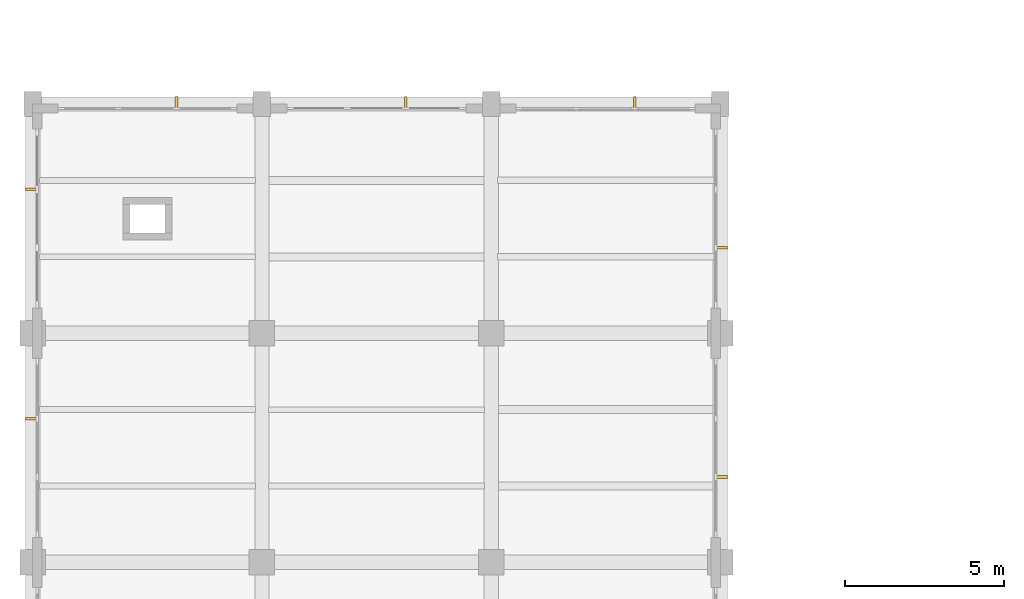
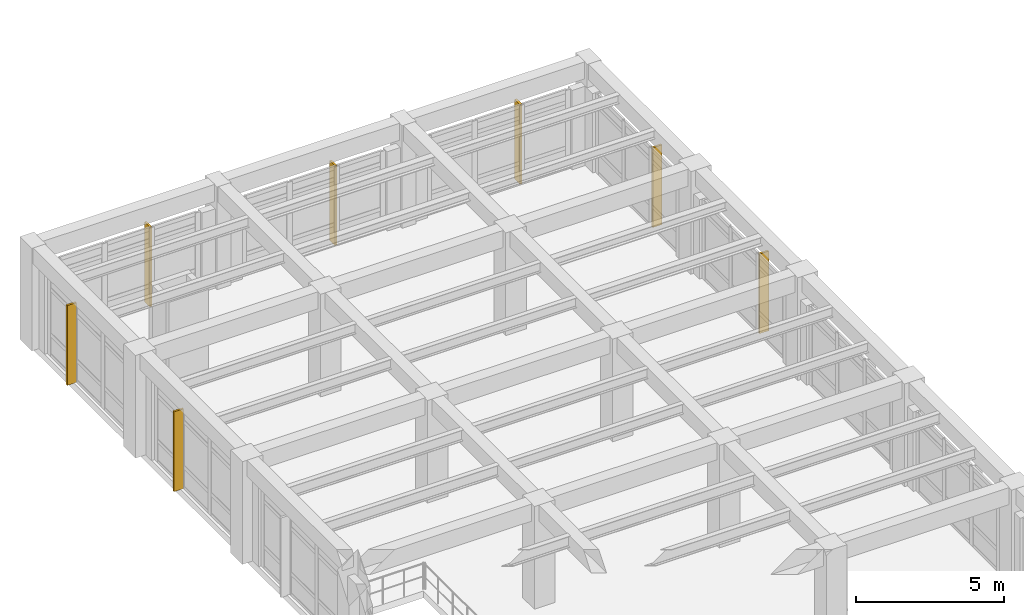
# One storey, part 64 of 67: 7 shading devices.
"""IFC4 building model written with IfcOpenShell, lengths in metres."""

from ifc_helpers import new_model, si_unit, direction, frame, origin, origin_2d, place, context, subcontext, project, spatial, rectangle, extrude, material, material_profile, profile_set, type_object, element, save


model = new_model("IFC4")

# Units and contexts
model_context = context("Model", 3, precision=1e-05, world=origin(), true_north=direction((0.0, 1.0)))
body_context = subcontext(model_context, "Body", "Model", "MODEL_VIEW")
ifc_project = project(units=[si_unit("LENGTHUNIT", "METRE"), si_unit("AREAUNIT", "SQUARE_METRE"), si_unit("VOLUMEUNIT", "CUBIC_METRE"), si_unit("PLANEANGLEUNIT", "RADIAN"), si_unit("MASSUNIT", "GRAM", prefix="KILO")], contexts=[model_context])

# Site, building, storey
site_placement = place(None, origin())
site = spatial("IfcSite", under=ifc_project, at=site_placement, CompositionType="ELEMENT")
building_placement = place(site_placement, origin())
building = spatial("IfcBuilding", under=site, at=building_placement, Name="Solenvale Faculty of Natural Sciences", CompositionType="ELEMENT")
storey_placement = place(building_placement, frame((0.0, 0.0, 13.5)))
storey = spatial("IfcBuildingStorey", under=building, at=storey_placement, Name="L03", CompositionType="ELEMENT", Elevation=13.5)

# Shading devices
ifc_material = material(Name="Anodised bronze aluminium", Category="aluminium")
ifc_material_profile = material_profile(ifc_material, rectangle(XDim=0.080078125, YDim=0.360107421875, at=origin_2d()), Name="ALU-FIN-80x360")
ifc_profile_set = profile_set([ifc_material_profile], Name="Anodised bronze aluminium")
shading_device_type = type_object("IfcShadingDeviceType", Name="SHD-FIN-360", PredefinedType="JALOUSIE", material=ifc_profile_set)
for number, where, z_axis, x_axis, name in (
    (1, (57.659912109375, 81.88330078125, -0.02001953125), (0.0, 0.0, 1.0), (0.0, 1.0, 0.0), "L03 Vertical Brise-Soleil Fin 1.7"),
    (2, (57.659912109375, 89.083251953125, -0.02001953125), (0.0, 0.0, 1.0), (0.0, 1.0, 0.0), "L03 Vertical Brise-Soleil Fin 1.8"),
    (3, (54.916748046875, 93.659912109375, -0.02001953125), (0.0, 0.0, 1.0), (1.0, 0.0, 0.0), "L03 Vertical Brise-Soleil Fin 2.1"),
    (4, (47.716552734375, 93.659912109375, -0.02001953125), (0.0, 0.0, 1.0), (1.0, 0.0, 0.0), "L03 Vertical Brise-Soleil Fin 2.2"),
    (5, (40.5166015625, 93.659912109375, -0.02001953125), (0.0, 0.0, 1.0), (1.0, 0.0, 0.0), "L03 Vertical Brise-Soleil Fin 2.3"),
    (6, (35.93994140625, 90.916748046875, -0.02001953125), (0.0, 0.0, 1.0), (0.0, 1.0, 0.0), "L03 Vertical Brise-Soleil Fin 3.1"),
    (7, (35.93994140625, 83.716552734375, -0.02001953125), (0.0, 0.0, 1.0), (0.0, 1.0, 0.0), "L03 Vertical Brise-Soleil Fin 3.2"),
):
    element("IfcShadingDevice", number, at=place(storey_placement, frame(where, z_axis=z_axis, x_axis=x_axis)), inside=storey, type_object=shading_device_type, Name=name, PredefinedType="JALOUSIE", context=body_context, shape_type="SweptSolid", body=[
        extrude(rectangle(XDim=0.080078125, YDim=0.360107421875, at=origin_2d()), origin(), (0.0, 0.0, 1.0), 3.280029296875),
    ])

save(model, "model.ifc")
